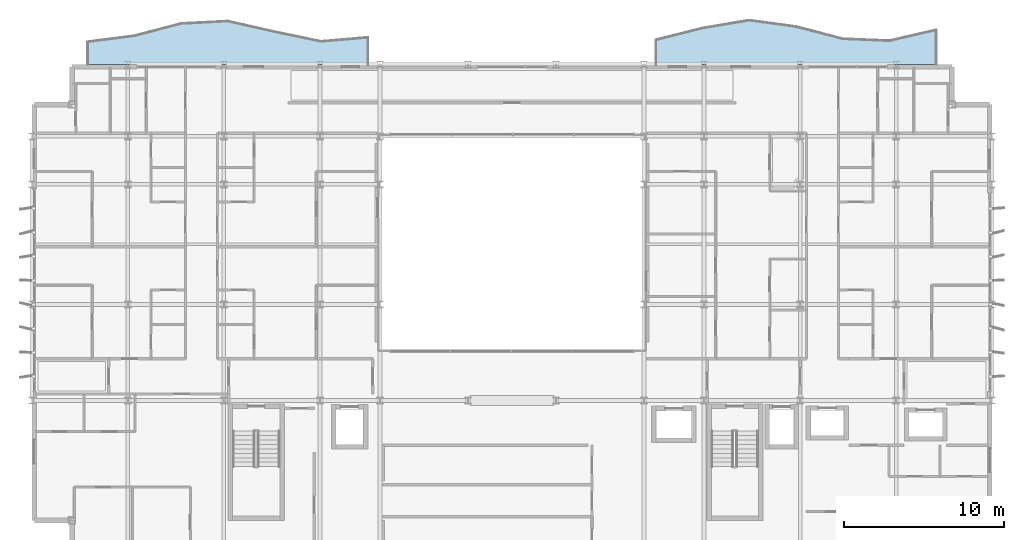
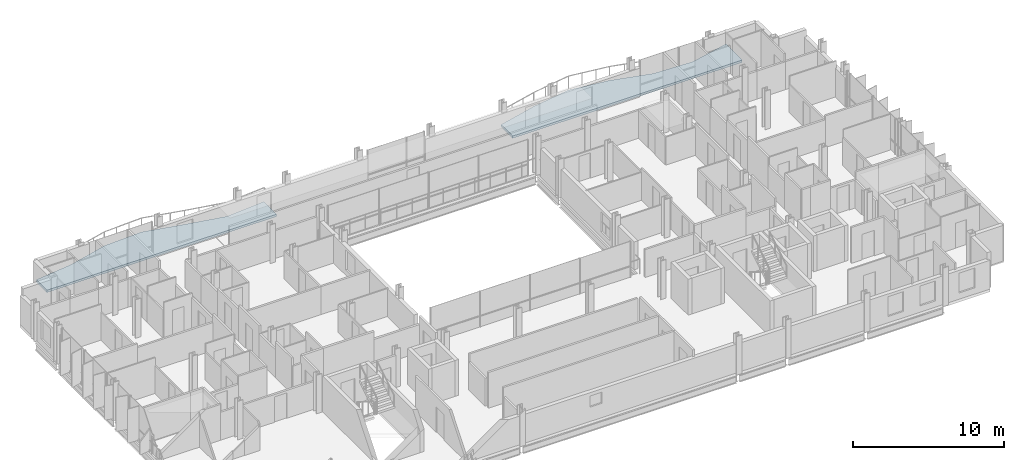
# One storey, part 25 of 39: 2 slabs.
"""IFC4 building model written with IfcOpenShell, lengths in metres."""

from ifc_helpers import new_model, si_unit, direction, frame, origin, place, context, subcontext, project, spatial, polyline, outline, extrude, material, layer, layer_set, type_object, element, save


model = new_model("IFC4")

# Units and contexts
model_context = context("Model", 3, precision=1e-05, world=origin(), true_north=direction((0.0, 1.0)))
body_context = subcontext(model_context, "Body", "Model", "MODEL_VIEW")
ifc_project = project(units=[si_unit("LENGTHUNIT", "METRE"), si_unit("AREAUNIT", "SQUARE_METRE"), si_unit("VOLUMEUNIT", "CUBIC_METRE"), si_unit("PLANEANGLEUNIT", "RADIAN"), si_unit("MASSUNIT", "GRAM", prefix="KILO")], contexts=[model_context])

# Site, building, storey
site_placement = place(None, origin())
site = spatial("IfcSite", under=ifc_project, at=site_placement, CompositionType="ELEMENT")
building_placement = place(site_placement, origin())
building = spatial("IfcBuilding", under=site, at=building_placement, Name="Brevholm Reach", CompositionType="ELEMENT")
storey_placement = place(building_placement, frame((0.0, 0.0, 115.89990234375)))
storey = spatial("IfcBuildingStorey", under=building, at=storey_placement, Name="L34", CompositionType="ELEMENT", Elevation=115.89990234375)

# Slabs
ifc_material = material(Name="Precast Concrete C40/50", Category="concrete")
ifc_layer = layer(ifc_material, 0.179931640625)
ifc_layer_set = layer_set([ifc_layer], Name="Precast Concrete C40/50")
slab_type = type_object("IfcSlabType", Name="SLB-BAL-180", PredefinedType="FLOOR", material=ifc_layer_set)
slab_1_placement = place(storey_placement, frame((0.0, 0.0, -0.179931640625)))
element("IfcSlab", 1, at=slab_1_placement, inside=storey, type_object=slab_type, Name="L34 Rippling External Balcony NE", PredefinedType="FLOOR", context=body_context, shape_type="SweptSolid", body=[
    extrude(outline(polyline([(39.0, 31.0), (56.5, 31.0), (56.5, 33.1455078125), (53.583251953125, 32.46826171875), (50.666748046875, 32.58935546875), (47.75, 33.349609375), (44.833251953125, 33.748291015625), (41.916748046875, 33.260986328125), (39.0, 32.52880859375), (39.0, 31.0)])), origin(), (0.0, 0.0, 1.0), 0.179931640625),
])
slab_2_placement = place(storey_placement, frame((0.0, 0.0, -0.179931640625)))
element("IfcSlab", 2, at=slab_2_placement, inside=storey, type_object=slab_type, Name="L34 Rippling External Balcony NW", PredefinedType="FLOOR", context=body_context, shape_type="SweptSolid", body=[
    extrude(outline(polyline([(3.5, 31.0), (21.0, 31.0), (21.0, 32.67822265625), (18.083251953125, 32.426025390625), (15.166748046875, 33.02783203125), (12.25, 33.691650390625), (9.333251953125, 33.5439453125), (6.416748046875, 32.779052734375), (3.5, 32.40380859375), (3.5, 31.0)])), origin(), (0.0, 0.0, 1.0), 0.179931640625),
])

save(model, "model.ifc")
